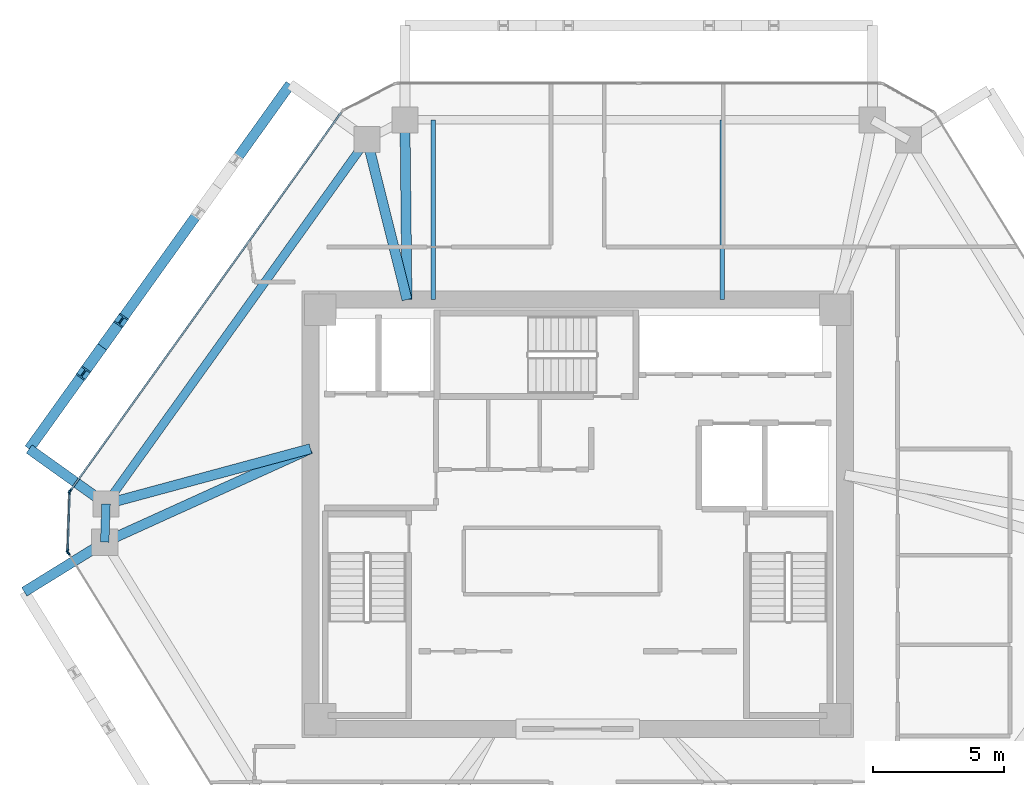
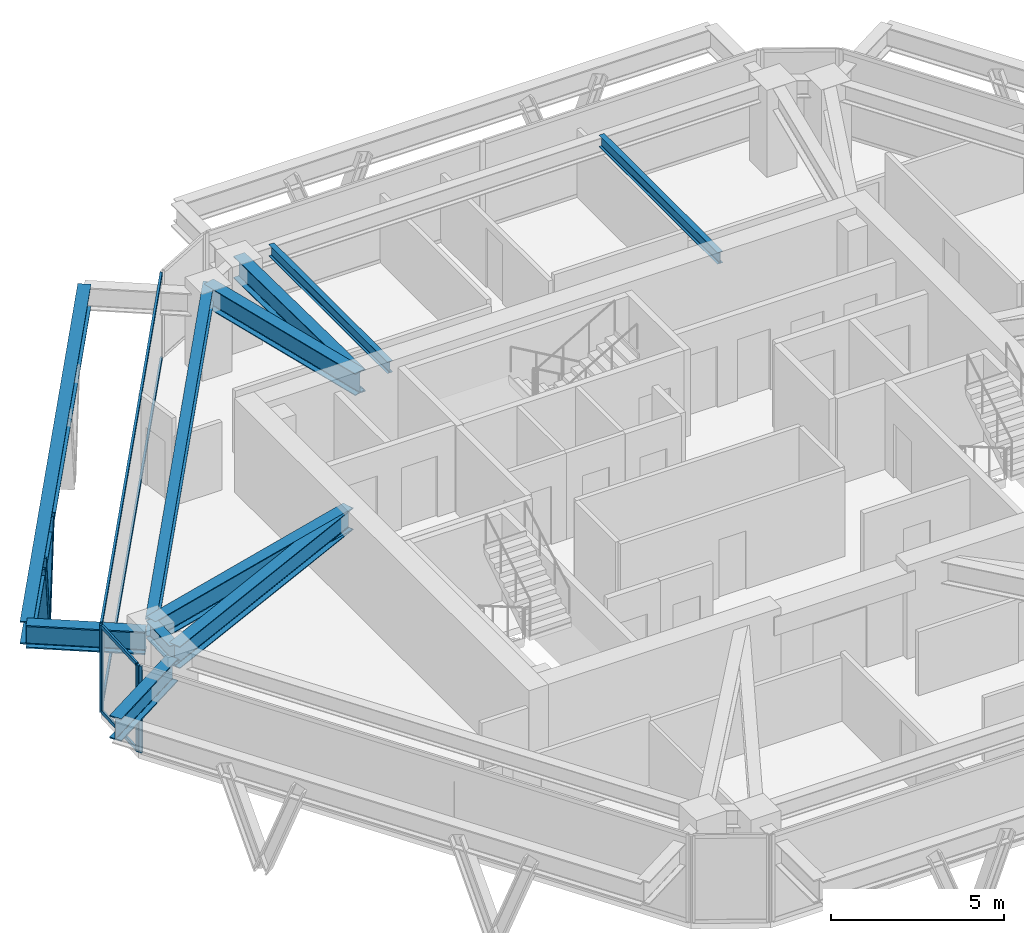
# One storey, part 4 of 11: 11 beams, 10 members, 3 elements without a shape of their own.
"""IFC4 building model written with IfcOpenShell, lengths in metres."""

from ifc_helpers import new_model, si_unit, direction, frame, origin, origin_2d, place, context, subcontext, project, spatial, rectangle, i_section, extrude, source, transform, mapped, material, layer, layer_set, material_profile, profile_set, type_object, type_shapes, element, aggregate, save


model = new_model("IFC4")

# Units and contexts
model_context = context("Model", 3, precision=1e-05, world=origin(), true_north=direction((0.0, 1.0)))
body_context = subcontext(model_context, "Body", "Model", "MODEL_VIEW")
ifc_project = project(units=[si_unit("LENGTHUNIT", "METRE"), si_unit("AREAUNIT", "SQUARE_METRE"), si_unit("VOLUMEUNIT", "CUBIC_METRE"), si_unit("PLANEANGLEUNIT", "RADIAN"), si_unit("MASSUNIT", "GRAM", prefix="KILO")], contexts=[model_context])

# Site, building, storey
site_placement = place(None, origin())
site = spatial("IfcSite", under=ifc_project, at=site_placement, CompositionType="ELEMENT")
building_placement = place(site_placement, origin())
building = spatial("IfcBuilding", under=site, at=building_placement, Name="Durnholm Broadcast Tower", CompositionType="ELEMENT")
storey_placement = place(building_placement, frame((0.0, 0.0, 190.300048828125)))
storey = spatial("IfcBuildingStorey", under=building, at=storey_placement, Name="L52", CompositionType="ELEMENT", Elevation=190.300048828125)

# Beams
ifc_material_1 = material(Name="Steel ASTM A992 Grade 50", Category="steel")
ifc_material_profile_1 = material_profile(ifc_material_1, i_section(OverallWidth=0.385009765625, OverallDepth=0.802978515625, WebThickness=0.023681640625, FlangeThickness=0.0419921875, FilletRadius=0.032958984375, at=origin_2d()), Name="W30X261")
ifc_profile_set_1 = profile_set([ifc_material_profile_1], Name="Steel ASTM A992 Grade 50")
beam_type_1 = type_object("IfcBeamType", Name="BM-EXO-TIE", PredefinedType="USERDEFINED", material=ifc_profile_set_1)
shared_shape_1 = source(origin(), body_context, "Body", "SweptSolid", [
    extrude(i_section(OverallWidth=0.385009765625, OverallDepth=0.802978515625, WebThickness=0.023681640625, FlangeThickness=0.0419921875, FilletRadius=0.032958984375, at=origin_2d()), origin(), (0.0, 0.0, 1.0), 3.4560546875),
])
beam_1_placement = place(storey_placement, frame((-18.131591796875, -1.13232421875, 2.30859375), z_axis=(-0.850662348375, -0.525712439512, 0.0), x_axis=(0.525712439512, -0.850662348375, 0.0)))
element("IfcBeam", 1, at=beam_1_placement, inside=storey, type_object=beam_type_1, Name="L52 exoskeleton stand-off tie bracket F6.1", ObjectType="GIRDER", PredefinedType="USERDEFINED", context=body_context, shape_type="MappedRepresentation", body=[
    mapped(shared_shape_1, transform((0.0, 0.0, 0.0), x_axis=(1.0, 0.0, 0.0), y_axis=(0.0, 1.0, 0.0), z_axis=(0.0, 0.0, 1.0), scale=1.0)),
])
shared_shape_2 = source(origin(), body_context, "Body", "SweptSolid", [
    extrude(i_section(OverallWidth=0.385009765625, OverallDepth=0.802978515625, WebThickness=0.023681640625, FlangeThickness=0.0419921875, FilletRadius=0.032958984375, at=origin_2d()), origin(), (0.0, 0.0, 1.0), 3.455810546875),
])
beam_2_placement = place(storey_placement, frame((-18.076904296875, 0.4794921875, 2.30859375), z_axis=(-0.813112485828, 0.582106592808, 0.0), x_axis=(-0.582106592808, -0.813112485828, 0.0)))
element("IfcBeam", 2, at=beam_2_placement, inside=storey, type_object=beam_type_1, Name="L52 exoskeleton stand-off tie bracket F5.2", ObjectType="GIRDER", PredefinedType="USERDEFINED", context=body_context, shape_type="MappedRepresentation", body=[
    mapped(shared_shape_2, transform((0.0, 0.0, 0.0), x_axis=(1.0, 0.0, 0.0), y_axis=(0.0, 1.0, 0.0), z_axis=(0.0, 0.0, 1.0), scale=1.0)),
])
ifc_material_profile_2 = material_profile(ifc_material_1, i_section(OverallWidth=0.3251953125, OverallDepth=0.6162109375, WebThickness=0.013916015625, FlangeThickness=0.021484375, FilletRadius=0.02783203125, at=origin_2d()), Name="W24X117")
ifc_profile_set_2 = profile_set([ifc_material_profile_2], Name="Steel ASTM A992 Grade 50")
beam_type_2 = type_object("IfcBeamType", Name="STL-SP-W24X117", PredefinedType="SPANDREL", material=ifc_profile_set_2)
shared_shape_3 = source(origin(), body_context, "Body", "SweptSolid", [
    extrude(i_section(OverallWidth=0.3251953125, OverallDepth=0.6162109375, WebThickness=0.013916015625, FlangeThickness=0.021484375, FilletRadius=0.02783203125, at=origin_2d()), origin(), (0.0, 0.0, 1.0), 1.452880859375),
])
beam_3_placement = place(storey_placement, frame((-18.009033203125, -1.056640625, 2.73681640625), z_axis=(0.03377359304, 0.999429509477, 0.0), x_axis=(-0.999429509477, 0.03377359304, 0.0)))
element("IfcBeam", 3, at=beam_3_placement, inside=storey, type_object=beam_type_2, Name="L52 perimeter spandrel girder 02", PredefinedType="SPANDREL", context=body_context, shape_type="MappedRepresentation", body=[
    mapped(shared_shape_3, transform((0.0, 0.0, 0.0), x_axis=(1.0, 0.0, 0.0), y_axis=(0.0, 1.0, 0.0), z_axis=(0.0, 0.0, 1.0), scale=1.0)),
])
shared_shape_4 = source(origin(), body_context, "Body", "SweptSolid", [
    extrude(i_section(OverallWidth=0.3251953125, OverallDepth=0.6162109375, WebThickness=0.013916015625, FlangeThickness=0.021484375, FilletRadius=0.02783203125, at=origin_2d()), origin(), (0.0, 0.0, 1.0), 17.07177734375),
])
type_shapes(beam_type_2, [shared_shape_3, shared_shape_4])
beam_4_placement = place(storey_placement, frame((-17.9599609375, 0.3955078125, 2.73681640625), z_axis=(0.582142843258, 0.813086532937, 0.0), x_axis=(-0.813086532937, 0.582142843258, 0.0)))
element("IfcBeam", 4, at=beam_4_placement, inside=storey, type_object=beam_type_2, Name="L52 perimeter spandrel girder 03", PredefinedType="SPANDREL", context=body_context, shape_type="MappedRepresentation", body=[
    mapped(shared_shape_4, transform((0.0, 0.0, 0.0), x_axis=(1.0, 0.0, 0.0), y_axis=(0.0, 1.0, 0.0), z_axis=(0.0, 0.0, 1.0), scale=1.0)),
])
shared_shape_5 = source(origin(), body_context, "Body", "SweptSolid", [
    extrude(i_section(OverallWidth=0.385009765625, OverallDepth=0.802978515625, WebThickness=0.023681640625, FlangeThickness=0.0419921875, FilletRadius=0.032958984375, at=origin_2d()), origin(), (0.0, 0.0, 1.0), 17.07177734375),
])
type_shapes(beam_type_1, [shared_shape_1, shared_shape_2, shared_shape_5])
beam_5_placement = place(storey_placement, frame((-10.948974609375, 16.3720703125, 2.30859375), z_axis=(-0.582133388739, -0.813093301974, 0.0), x_axis=(0.813093301974, -0.582133388739, 0.0)))
element("IfcBeam", 5, at=beam_5_placement, inside=storey, type_object=beam_type_1, Name="L52 exoskeleton collector spandrel F5", PredefinedType="SPANDREL", context=body_context, shape_type="MappedRepresentation", body=[
    mapped(shared_shape_5, transform((0.0, 0.0, 0.0), x_axis=(1.0, 0.0, 0.0), y_axis=(0.0, 1.0, 0.0), z_axis=(0.0, 0.0, 1.0), scale=1.0)),
])
ifc_material_profile_3 = material_profile(ifc_material_1, i_section(OverallWidth=0.380615234375, OverallDepth=0.773193359375, WebThickness=0.0166015625, FlangeThickness=0.027099609375, FilletRadius=0.032958984375, at=origin_2d()), Name="W30X173")
ifc_profile_set_3 = profile_set([ifc_material_profile_3], Name="Steel ASTM A992 Grade 50")
beam_type_3 = type_object("IfcBeamType", Name="STL-GR-W30X173", PredefinedType="USERDEFINED", material=ifc_profile_set_3)
shared_shape_6 = source(origin(), body_context, "Body", "SweptSolid", [
    extrude(i_section(OverallWidth=0.380615234375, OverallDepth=0.773193359375, WebThickness=0.0166015625, FlangeThickness=0.027099609375, FilletRadius=0.032958984375, at=origin_2d()), origin(), (0.0, 0.0, 1.0), 8.603515625),
])
beam_6_placement = place(storey_placement, frame((-10.175048828125, 2.5, 2.658447265625), z_axis=(-0.910552971728, -0.413392411248, 0.0), x_axis=(0.413392411248, -0.910552971728, 0.0)))
element("IfcBeam", 6, at=beam_6_placement, inside=storey, type_object=beam_type_3, Name="L52 radial primary floor girder 02", ObjectType="GIRDER", PredefinedType="USERDEFINED", context=body_context, shape_type="MappedRepresentation", body=[
    mapped(shared_shape_6, transform((0.0, 0.0, 0.0), x_axis=(1.0, 0.0, 0.0), y_axis=(0.0, 1.0, 0.0), z_axis=(0.0, 0.0, 1.0), scale=1.0)),
])
shared_shape_7 = source(origin(), body_context, "Body", "SweptSolid", [
    extrude(i_section(OverallWidth=0.380615234375, OverallDepth=0.773193359375, WebThickness=0.0166015625, FlangeThickness=0.027099609375, FilletRadius=0.032958984375, at=origin_2d()), origin(), (0.0, 0.0, 1.0), 8.064453125),
])
beam_7_placement = place(storey_placement, frame((-10.175048828125, 2.5, 2.658447265625), z_axis=(-0.96534896552, -0.260962401066, 0.0), x_axis=(0.260962401066, -0.96534896552, 0.0)))
element("IfcBeam", 7, at=beam_7_placement, inside=storey, type_object=beam_type_3, Name="L52 radial primary floor girder 03", ObjectType="GIRDER", PredefinedType="USERDEFINED", context=body_context, shape_type="MappedRepresentation", body=[
    mapped(shared_shape_7, transform((0.0, 0.0, 0.0), x_axis=(1.0, 0.0, 0.0), y_axis=(0.0, 1.0, 0.0), z_axis=(0.0, 0.0, 1.0), scale=1.0)),
])
shared_shape_8 = source(origin(), body_context, "Body", "SweptSolid", [
    extrude(i_section(OverallWidth=0.380615234375, OverallDepth=0.773193359375, WebThickness=0.0166015625, FlangeThickness=0.027099609375, FilletRadius=0.032958984375, at=origin_2d()), origin(), (0.0, 0.0, 1.0), 6.288330078125),
])
beam_8_placement = place(storey_placement, frame((-6.5, 8.175048828125, 2.658447265625), z_axis=(-0.241996604408, 0.970277096223, 0.0), x_axis=(-0.970277096223, -0.241996604408, 0.0)))
element("IfcBeam", 8, at=beam_8_placement, inside=storey, type_object=beam_type_3, Name="L52 radial primary floor girder 04", ObjectType="GIRDER", PredefinedType="USERDEFINED", context=body_context, shape_type="MappedRepresentation", body=[
    mapped(shared_shape_8, transform((0.0, 0.0, 0.0), x_axis=(1.0, 0.0, 0.0), y_axis=(0.0, 1.0, 0.0), z_axis=(0.0, 0.0, 1.0), scale=1.0)),
])
shared_shape_9 = source(origin(), body_context, "Body", "SweptSolid", [
    extrude(i_section(OverallWidth=0.380615234375, OverallDepth=0.773193359375, WebThickness=0.0166015625, FlangeThickness=0.027099609375, FilletRadius=0.032958984375, at=origin_2d()), origin(), (0.0, 0.0, 1.0), 6.843505859375),
])
type_shapes(beam_type_3, [shared_shape_6, shared_shape_7, shared_shape_8, shared_shape_9])
beam_9_placement = place(storey_placement, frame((-6.5, 8.175048828125, 2.658447265625), z_axis=(-0.011487343604, 0.999934018292, 0.0), x_axis=(-0.999934018292, -0.011487343604, 0.0)))
element("IfcBeam", 9, at=beam_9_placement, inside=storey, type_object=beam_type_3, Name="L52 radial primary floor girder 05", ObjectType="GIRDER", PredefinedType="USERDEFINED", context=body_context, shape_type="MappedRepresentation", body=[
    mapped(shared_shape_9, transform((0.0, 0.0, 0.0), x_axis=(1.0, 0.0, 0.0), y_axis=(0.0, 1.0, 0.0), z_axis=(0.0, 0.0, 1.0), scale=1.0)),
])
ifc_material_profile_4 = material_profile(ifc_material_1, i_section(OverallWidth=0.177734375, OverallDepth=0.40673828125, WebThickness=0.0078125, FlangeThickness=0.0126953125, FilletRadius=0.01904296875, at=origin_2d()), Name="W16X40")
ifc_profile_set_4 = profile_set([ifc_material_profile_4], Name="Steel ASTM A992 Grade 50")
beam_type_4 = type_object("IfcBeamType", Name="STL-BJ-W16X40", PredefinedType="JOIST", material=ifc_profile_set_4)
shared_shape_10 = source(origin(), body_context, "Body", "SweptSolid", [
    extrude(i_section(OverallWidth=0.177734375, OverallDepth=0.40673828125, WebThickness=0.0078125, FlangeThickness=0.0126953125, FilletRadius=0.01904296875, at=origin_2d()), origin(), (0.0, 0.0, 1.0), 6.843017578125),
])
type_shapes(beam_type_4, [shared_shape_10])
for number, where, z_axis, x_axis, name in (
    (10, (-5.5, 8.175048828125, 2.841552734375), (0.0, 1.0, 0.0), (-1.0, 0.0, 0.0), "L52 secondary floor joist 3.2"),
    (11, (5.5, 8.175048828125, 2.841552734375), (0.0, 1.0, 0.0), (-1.0, 0.0, 0.0), "L52 secondary floor joist 4.2"),
):
    element("IfcBeam", number, at=place(storey_placement, frame(where, z_axis=z_axis, x_axis=x_axis)), inside=storey, type_object=beam_type_4, Name=name, PredefinedType="JOIST", context=body_context, shape_type="MappedRepresentation", body=[
        mapped(shared_shape_10, transform((0.0, 0.0, 0.0), x_axis=(1.0, 0.0, 0.0), y_axis=(0.0, 1.0, 0.0), z_axis=(0.0, 0.0, 1.0), scale=1.0)),
    ])

# Members
ifc_material_2 = material(Name="Steel ASTM A913 Grade 65", Category="steel")
ifc_material_profile_5 = material_profile(ifc_material_2, i_section(OverallWidth=0.412109375, OverallDepth=0.434814453125, WebThickness=0.035888671875, FlangeThickness=0.057373046875, FilletRadius=0.030517578125, at=origin_2d()), Name="W14X311")
ifc_profile_set_5 = profile_set([ifc_material_profile_5], Name="Steel ASTM A913 Grade 65")
member_type_1 = type_object("IfcMemberType", Name="STL-DG-W14X311", PredefinedType="BRACE", material=ifc_profile_set_5)
shared_shape_11 = source(origin(), body_context, "Body", "SweptSolid", [
    extrude(i_section(OverallWidth=0.412109375, OverallDepth=0.434814453125, WebThickness=0.035888671875, FlangeThickness=0.057373046875, FilletRadius=0.030517578125, at=origin_2d()), origin(), (0.0, 0.0, 1.0), 3.523193359375),
])
type_shapes(member_type_1, [shared_shape_11])
for number, where, z_axis, x_axis, name in (
    (12, (-18.1044921875, 6.3779296875, -0.991455078125), (0.203869234398, 0.284737826017, 0.936675880815), (-0.813077820009, 0.582155012526, 0.0), "L52 stand-off diagrid brace F5.D2.1"),
    (13, (-18.1044921875, 6.3779296875, -0.991455078125), (-0.203802816986, -0.284741848009, 0.936689111595), (0.813171482985, -0.58202417412, 0.0), "L52 stand-off diagrid brace F5.D2.2"),
):
    element("IfcMember", number, at=place(storey_placement, frame(where, z_axis=z_axis, x_axis=x_axis)), inside=storey, type_object=member_type_1, Name=name, PredefinedType="BRACE", context=body_context, shape_type="MappedRepresentation", body=[
        mapped(shared_shape_11, transform((0.0, 0.0, 0.0), x_axis=(1.0, 0.0, 0.0), y_axis=(0.0, 1.0, 0.0), z_axis=(0.0, 0.0, 1.0), scale=1.0)),
    ])

# Curtain wall, members
ifc_material_3 = material(Name="Aluminium and Solar Control IGU", Category="aluminium")
ifc_layer_1 = layer(ifc_material_3, 0.1650390625)
ifc_layer_set_1 = layer_set([ifc_layer_1], Name="Aluminium and Solar Control IGU")
curtain_wall_type_1 = type_object("IfcCurtainWallType", Name="CW-SYS-5", PredefinedType="NOTDEFINED", material=ifc_layer_set_1)
curtain_wall_1_placement = place(storey_placement, origin())
curtain_wall_1 = element("IfcCurtainWall", 14, at=curtain_wall_1_placement, inside=storey, type_object=curtain_wall_type_1, Name="L52 curtain wall CW-CORNER CW-L52-CRN-01", PredefinedType="NOTDEFINED")
ifc_material_4 = material(Name="Aluminium 6063-T6", Category="aluminium")
ifc_material_profile_6 = material_profile(ifc_material_4, rectangle(XDim=0.06494140625, YDim=0.1650390625, at=origin_2d()), Name="CWM65X165")
ifc_profile_set_6 = profile_set([ifc_material_profile_6], Name="Aluminium 6063-T6")
member_type_2 = type_object("IfcMemberType", Name="CW-SYS-5-MUL", PredefinedType="MULLION", material=ifc_profile_set_6)
shared_shape_12 = source(origin(), body_context, "Body", "SweptSolid", [
    extrude(rectangle(XDim=0.06494140625, YDim=0.1650390625, at=origin_2d()), origin(), (0.0, 0.0, 1.0), 3.06005859375),
])
type_shapes(member_type_2, [shared_shape_12])
member_1_placement = place(storey_placement, frame((-19.421630859375, -1.39990234375, 0.0), z_axis=(0.0, 0.0, 1.0), x_axis=(-0.999424798802, 0.033912704699, 0.0)))
member_1 = element("IfcMember", 15, at=member_1_placement, type_object=member_type_2, Name="CW-CORNER mullion 1", PredefinedType="MULLION", context=body_context, shape_type="MappedRepresentation", body=[
    mapped(shared_shape_12, transform((0.0, 0.0, 0.0), x_axis=(1.0, 0.0, 0.0), y_axis=(0.0, 1.0, 0.0), z_axis=(0.0, 0.0, 1.0), scale=1.0)),
])
member_2_placement = place(storey_placement, frame((-19.345703125, 0.833740234375, 0.0), z_axis=(0.0, 0.0, 1.0), x_axis=(-0.999424798802, 0.033912704699, 0.0)))
member_2 = element("IfcMember", 16, at=member_2_placement, type_object=member_type_2, Name="CW-CORNER mullion 2", PredefinedType="MULLION", context=body_context, shape_type="MappedRepresentation", body=[
    mapped(shared_shape_12, transform((0.0, 0.0, 0.0), x_axis=(1.0, 0.0, 0.0), y_axis=(0.0, 1.0, 0.0), z_axis=(0.0, 0.0, 1.0), scale=1.0)),
])
ifc_material_profile_7 = material_profile(ifc_material_4, rectangle(XDim=0.06494140625, YDim=0.1298828125, at=origin_2d()), Name="CWT65X130")
ifc_profile_set_7 = profile_set([ifc_material_profile_7], Name="Aluminium 6063-T6")
member_type_3 = type_object("IfcMemberType", Name="CW-SYS-5-TRN", PredefinedType="USERDEFINED", material=ifc_profile_set_7)
shared_shape_13 = source(origin(), body_context, "Body", "SweptSolid", [
    extrude(rectangle(XDim=0.06494140625, YDim=0.1298828125, at=origin_2d()), origin(), (0.0, 0.0, 1.0), 2.169921875),
])
type_shapes(member_type_3, [shared_shape_13])
member_3_placement = place(storey_placement, frame((-19.42041015625, -1.367431640625, 0.032470703125), z_axis=(0.033865512339, 0.999426399028, 0.0), x_axis=(-0.999426399028, 0.033865512339, 0.0)))
member_3 = element("IfcMember", 17, at=member_3_placement, type_object=member_type_3, Name="CW-CORNER transom 1.1", ObjectType="TRANSOM", PredefinedType="USERDEFINED", context=body_context, shape_type="MappedRepresentation", body=[
    mapped(shared_shape_13, transform((0.0, 0.0, 0.0), x_axis=(1.0, 0.0, 0.0), y_axis=(0.0, 1.0, 0.0), z_axis=(0.0, 0.0, 1.0), scale=1.0)),
])
member_4_placement = place(storey_placement, frame((-19.42041015625, -1.367431640625, 3.02734375), z_axis=(0.033865512339, 0.999426399028, 0.0), x_axis=(-0.999426399028, 0.033865512339, 0.0)))
member_4 = element("IfcMember", 18, at=member_4_placement, type_object=member_type_3, Name="CW-CORNER transom 1.2", ObjectType="TRANSOM", PredefinedType="USERDEFINED", context=body_context, shape_type="MappedRepresentation", body=[
    mapped(shared_shape_13, transform((0.0, 0.0, 0.0), x_axis=(1.0, 0.0, 0.0), y_axis=(0.0, 1.0, 0.0), z_axis=(0.0, 0.0, 1.0), scale=1.0)),
])
aggregate(curtain_wall_1, [member_1, member_2, member_3, member_4])

ifc_layer_2 = layer(ifc_material_3, 0.18994140625)
ifc_layer_set_2 = layer_set([ifc_layer_2], Name="Aluminium and Solar Control IGU")
curtain_wall_type_2 = type_object("IfcCurtainWallType", Name="CW-SYS-4", PredefinedType="NOTDEFINED", material=ifc_layer_set_2)
curtain_wall_2_placement = place(storey_placement, origin())
curtain_wall_2 = element("IfcCurtainWall", 19, at=curtain_wall_2_placement, inside=storey, type_object=curtain_wall_type_2, Name="L52 curtain wall CW-Z34-VIS CW-L52-F02", PredefinedType="NOTDEFINED")
ifc_material_profile_8 = material_profile(ifc_material_4, rectangle(XDim=0.070068359375, YDim=0.14990234375, at=origin_2d()), Name="CWT70X150")
ifc_profile_set_8 = profile_set([ifc_material_profile_8], Name="Aluminium 6063-T6")
member_type_4 = type_object("IfcMemberType", Name="CW-SYS-4-TRN", PredefinedType="USERDEFINED", material=ifc_profile_set_8)
shared_shape_14 = source(origin(), body_context, "Body", "SweptSolid", [
    extrude(rectangle(XDim=0.070068359375, YDim=0.14990234375, at=origin_2d()), origin(), (0.0, 0.0, 1.0), 17.69384765625),
])
type_shapes(member_type_4, [shared_shape_14])
member_5_placement = place(storey_placement, frame((-19.303955078125, 0.923095703125, 0.034912109375), z_axis=(0.582138438195, 0.813089686797, 0.0), x_axis=(-0.813089686797, 0.582138438195, 0.0)))
member_5 = element("IfcMember", 20, at=member_5_placement, type_object=member_type_4, Name="CW-Z34-VIS transom 1.1", ObjectType="TRANSOM", PredefinedType="USERDEFINED", context=body_context, shape_type="MappedRepresentation", body=[
    mapped(shared_shape_14, transform((0.0, 0.0, 0.0), x_axis=(1.0, 0.0, 0.0), y_axis=(0.0, 1.0, 0.0), z_axis=(0.0, 0.0, 1.0), scale=1.0)),
])
member_6_placement = place(storey_placement, frame((-19.303955078125, 0.923095703125, 3.02490234375), z_axis=(0.582138438195, 0.813089686797, 0.0), x_axis=(-0.813089686797, 0.582138438195, 0.0)))
member_6 = element("IfcMember", 21, at=member_6_placement, type_object=member_type_4, Name="CW-Z34-VIS transom 1.2", ObjectType="TRANSOM", PredefinedType="USERDEFINED", context=body_context, shape_type="MappedRepresentation", body=[
    mapped(shared_shape_14, transform((0.0, 0.0, 0.0), x_axis=(1.0, 0.0, 0.0), y_axis=(0.0, 1.0, 0.0), z_axis=(0.0, 0.0, 1.0), scale=1.0)),
])
ifc_material_profile_9 = material_profile(ifc_material_4, rectangle(XDim=0.070068359375, YDim=0.18994140625, at=origin_2d()), Name="CWM70X190")
ifc_profile_set_9 = profile_set([ifc_material_profile_9], Name="Aluminium 6063-T6")
member_type_5 = type_object("IfcMemberType", Name="CW-SYS-4-MUL", PredefinedType="MULLION", material=ifc_profile_set_9)
shared_shape_15 = source(origin(), body_context, "Body", "SweptSolid", [
    extrude(rectangle(XDim=0.070068359375, YDim=0.18994140625, at=origin_2d()), origin(), (0.0, 0.0, 1.0), 3.06005859375),
])
type_shapes(member_type_5, [shared_shape_15])
member_7_placement = place(storey_placement, frame((-19.32421875, 0.894775390625, 0.0), z_axis=(0.0, 0.0, 1.0), x_axis=(-0.813089262696, 0.582139030549, 0.0)))
member_7 = element("IfcMember", 22, at=member_7_placement, type_object=member_type_5, Name="CW-Z34-VIS mullion 1", PredefinedType="MULLION", context=body_context, shape_type="MappedRepresentation", body=[
    mapped(shared_shape_15, transform((0.0, 0.0, 0.0), x_axis=(1.0, 0.0, 0.0), y_axis=(0.0, 1.0, 0.0), z_axis=(0.0, 0.0, 1.0), scale=1.0)),
])
aggregate(curtain_wall_2, [member_7, member_5, member_6])

# Curtain wall, member
curtain_wall_3_placement = place(storey_placement, origin())
curtain_wall_3 = element("IfcCurtainWall", 23, at=curtain_wall_3_placement, inside=storey, type_object=curtain_wall_type_2, Name="L52 curtain wall CW-Z34-VIS CW-L52-F12", PredefinedType="NOTDEFINED")
member_8_placement = place(storey_placement, frame((-19.404296875, -1.462158203125, 0.0), z_axis=(0.0, 0.0, 1.0), x_axis=(-0.850671426092, -0.525697750452, 0.0)))
member_8 = element("IfcMember", 24, at=member_8_placement, type_object=member_type_5, Name="CW-Z34-VIS mullion 2", PredefinedType="MULLION", context=body_context, shape_type="MappedRepresentation", body=[
    mapped(shared_shape_15, transform((0.0, 0.0, 0.0), x_axis=(1.0, 0.0, 0.0), y_axis=(0.0, 1.0, 0.0), z_axis=(0.0, 0.0, 1.0), scale=1.0)),
])
aggregate(curtain_wall_3, [member_8])

save(model, "model.ifc")
